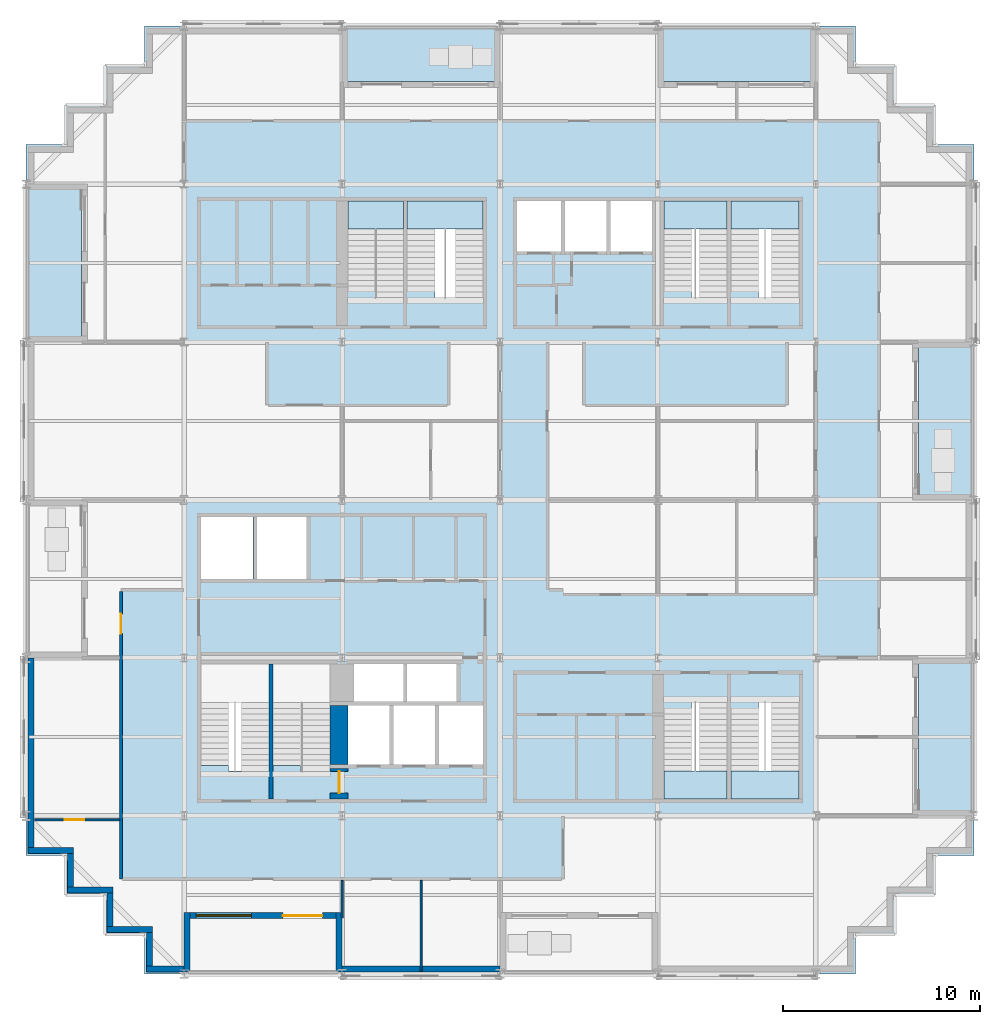
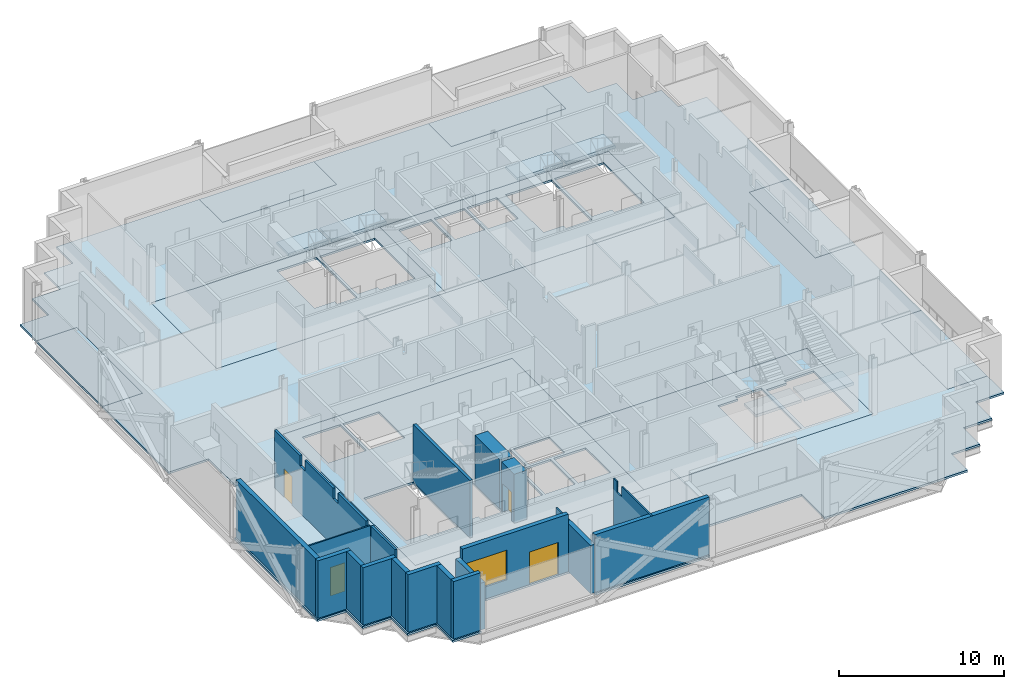
# One storey, part 5 of 15: 19 walls, 16 slabs, 4 doors, 1 window, 5 openings, 6 elements without a shape of their own.
"""IFC4 building model written with IfcOpenShell, lengths in metres."""

from ifc_helpers import new_model, si_unit, direction, frame, frame_2d, origin, place, context, subcontext, project, spatial, polyline, rectangle, outline, extrude, material, layer, layer_set, type_object, element, fill, aggregate, save


model = new_model("IFC4")

# Units and contexts
model_context = context("Model", 3, precision=1e-05, world=origin(), true_north=direction((0.0, 1.0)))
body_context = subcontext(model_context, "Body", "Model", "MODEL_VIEW")
ifc_project = project(units=[si_unit("LENGTHUNIT", "METRE"), si_unit("AREAUNIT", "SQUARE_METRE"), si_unit("VOLUMEUNIT", "CUBIC_METRE"), si_unit("PLANEANGLEUNIT", "RADIAN"), si_unit("MASSUNIT", "GRAM", prefix="KILO")], contexts=[model_context])

# Site, building, storey
site_placement = place(None, origin())
site = spatial("IfcSite", under=ifc_project, at=site_placement, CompositionType="ELEMENT")
building_placement = place(site_placement, origin())
building = spatial("IfcBuilding", under=site, at=building_placement, Name="Immortelle Media Tower", CompositionType="ELEMENT")
storey_placement = place(building_placement, frame((0.0, 0.0, 92.0)))
storey = spatial("IfcBuildingStorey", under=building, at=storey_placement, Name="L17", CompositionType="ELEMENT", Elevation=92.0)

# Slabs
ifc_material_1 = material(Name="Concrete C50/60 composite deck", Category="concrete")
ifc_layer_1 = layer(ifc_material_1, 0.14990234375)
ifc_layer_set_1 = layer_set([ifc_layer_1], Name="Concrete C50/60 composite deck")
slab_type_1 = type_object("IfcSlabType", Name="Balcony slab 150", PredefinedType="FLOOR", material=ifc_layer_set_1)
slab_1_placement = place(storey_placement, frame((0.0, 0.0, -0.14990234375)))
element("IfcSlab", 1, at=slab_1_placement, inside=storey, type_object=slab_type_1, Name="Balcony slab L17 W0", PredefinedType="FLOOR", context=body_context, shape_type="SweptSolid", body=[
    extrude(outline(polyline([(2.800048828125, 32.0), (2.800048828125, 40.0), (0.0, 40.0), (0.0, 32.0), (2.800048828125, 32.0)])), origin(), (0.0, 0.0, 1.0), 0.14990234375),
])
slab_2_placement = place(storey_placement, frame((0.0, 0.0, -0.14990234375)))
element("IfcSlab", 2, at=slab_2_placement, inside=storey, type_object=slab_type_1, Name="Balcony slab L17 E0", PredefinedType="FLOOR", context=body_context, shape_type="SweptSolid", body=[
    extrude(outline(polyline([(48.0, 8.0), (48.0, 16.0), (45.199951171875, 16.0), (45.199951171875, 8.0), (48.0, 8.0)])), origin(), (0.0, 0.0, 1.0), 0.14990234375),
])
slab_3_placement = place(storey_placement, frame((0.0, 0.0, -0.14990234375)))
element("IfcSlab", 3, at=slab_3_placement, inside=storey, type_object=slab_type_1, Name="Balcony slab L17 E2", PredefinedType="FLOOR", context=body_context, shape_type="SweptSolid", body=[
    extrude(outline(polyline([(48.0, 24.0), (48.0, 32.0), (45.199951171875, 32.0), (45.199951171875, 24.0), (48.0, 24.0)])), origin(), (0.0, 0.0, 1.0), 0.14990234375),
])
slab_4_placement = place(storey_placement, frame((0.0, 0.0, -0.14990234375)))
element("IfcSlab", 4, at=slab_4_placement, inside=storey, type_object=slab_type_1, Name="Balcony slab L17 N0", PredefinedType="FLOOR", context=body_context, shape_type="SweptSolid", body=[
    extrude(outline(polyline([(40.0, 45.199951171875), (40.0, 48.0), (32.0, 48.0), (32.0, 45.199951171875), (40.0, 45.199951171875)])), origin(), (0.0, 0.0, 1.0), 0.14990234375),
])
slab_5_placement = place(storey_placement, frame((0.0, 0.0, -0.14990234375)))
element("IfcSlab", 5, at=slab_5_placement, inside=storey, type_object=slab_type_1, Name="Balcony slab L17 N2", PredefinedType="FLOOR", context=body_context, shape_type="SweptSolid", body=[
    extrude(outline(polyline([(24.0, 45.199951171875), (24.0, 48.0), (16.0, 48.0), (16.0, 45.199951171875), (24.0, 45.199951171875)])), origin(), (0.0, 0.0, 1.0), 0.14990234375),
])
ifc_material_2 = material(Name="Concrete C50/60", Category="concrete")
ifc_layer_2 = layer(ifc_material_2, 0.14990234375)
ifc_layer_set_2 = layer_set([ifc_layer_2], Name="Concrete C50/60")
slab_type_2 = type_object("IfcSlabType", Name="Composite floor slab 150", PredefinedType="FLOOR", material=ifc_layer_set_2)
slab_6_placement = place(storey_placement, frame((0.0, 0.0, -0.14990234375)))
element("IfcSlab", 6, at=slab_6_placement, inside=storey, type_object=slab_type_2, Name="Floor slab L17", PredefinedType="FLOOR", context=body_context, shape_type="SweptSolid", body=[
    extrude(outline(polyline([(6.0, 0.0), (6.0, 2.0), (4.0, 2.0), (4.0, 4.0), (2.0, 4.0), (2.0, 6.0), (0.0, 6.0), (0.0, 16.0), (2.800048828125, 16.0), (2.800048828125, 24.0), (0.0, 24.0), (0.0, 32.0), (2.800048828125, 32.0), (2.800048828125, 40.0), (0.0, 40.0), (0.0, 42.0), (2.0, 42.0), (2.0, 44.0), (4.0, 44.0), (4.0, 46.0), (6.0, 46.0), (6.0, 48.0), (16.0, 48.0), (16.0, 45.199951171875), (24.0, 45.199951171875), (24.0, 48.0), (32.0, 48.0), (32.0, 45.199951171875), (40.0, 45.199951171875), (40.0, 48.0), (42.0, 48.0), (42.0, 46.0), (44.0, 46.0), (44.0, 44.0), (46.0, 44.0), (46.0, 42.0), (48.0, 42.0), (48.0, 32.0), (45.199951171875, 32.0), (45.199951171875, 24.0), (48.0, 24.0), (48.0, 16.0), (45.199951171875, 16.0), (45.199951171875, 8.0), (48.0, 8.0), (48.0, 6.0), (46.0, 6.0), (46.0, 4.0), (44.0, 4.0), (44.0, 2.0), (42.0, 2.0), (42.0, 0.0), (32.0, 0.0), (32.0, 2.800048828125), (24.0, 2.800048828125), (24.0, 0.0), (16.0, 0.0), (16.0, 2.800048828125), (8.0, 2.800048828125), (8.0, 0.0), (6.0, 0.0)]), holes=[polyline([(24.0, 24.0), (8.0, 24.0), (8.0, 8.0), (24.0, 8.0), (40.0, 8.0), (40.0, 16.0), (24.0, 16.0), (24.0, 24.0)]), polyline([(24.0, 32.0), (40.0, 32.0), (40.0, 40.0), (24.0, 40.0), (8.0, 40.0), (8.0, 32.0), (24.0, 32.0)])]), origin(), (0.0, 0.0, 1.0), 0.14990234375),
])
ifc_layer_3 = layer(ifc_material_2, 0.14990234375)
ifc_layer_set_3 = layer_set([ifc_layer_3], Name="Concrete C50/60")
slab_type_3 = type_object("IfcSlabType", Name="Core floor slab 150", PredefinedType="FLOOR", material=ifc_layer_set_3)
slab_7_placement = place(storey_placement, frame((0.0, 0.0, -0.14990234375)))
element("IfcSlab", 7, at=slab_7_placement, inside=storey, type_object=slab_type_3, Name="Core floor SW", PredefinedType="FLOOR", context=body_context, shape_type="SweptSolid", body=[
    extrude(outline(polyline([(8.0, 8.0), (24.0, 8.0), (24.0, 24.0), (8.0, 24.0), (8.0, 8.0)]), holes=[polyline([(8.85009765625, 20.0), (11.5, 20.0), (11.5, 23.14990234375), (8.85009765625, 23.14990234375), (8.85009765625, 20.0)]), polyline([(11.699951171875, 20.0), (14.199951171875, 20.0), (14.199951171875, 23.14990234375), (11.699951171875, 23.14990234375), (11.699951171875, 20.0)]), polyline([(16.60009765625, 13.800048828125), (19.10009765625, 13.800048828125), (19.10009765625, 15.699951171875), (16.60009765625, 15.699951171875), (16.60009765625, 13.800048828125)]), polyline([(19.300048828125, 13.800048828125), (21.800048828125, 13.800048828125), (21.800048828125, 15.699951171875), (19.300048828125, 15.699951171875), (19.300048828125, 13.800048828125)]), polyline([(16.300048828125, 10.60009765625), (18.39990234375, 10.60009765625), (18.39990234375, 13.60009765625), (16.300048828125, 13.60009765625), (16.300048828125, 10.60009765625)]), polyline([(18.60009765625, 10.60009765625), (20.699951171875, 10.60009765625), (20.699951171875, 13.60009765625), (18.60009765625, 13.60009765625), (18.60009765625, 10.60009765625)]), polyline([(20.89990234375, 10.60009765625), (23.14990234375, 10.60009765625), (23.14990234375, 13.60009765625), (20.89990234375, 13.60009765625), (20.89990234375, 10.60009765625)]), polyline([(8.85009765625, 15.699951171875), (12.300048828125, 15.699951171875), (12.300048828125, 10.27001953125), (10.25, 10.27001953125), (10.25, 10.56005859375), (8.85009765625, 10.56005859375), (8.85009765625, 15.699951171875)]), polyline([(12.5, 15.699951171875), (15.39990234375, 15.699951171875), (15.39990234375, 10.27001953125), (13.89990234375, 10.27001953125), (13.89990234375, 10.56005859375), (12.5, 10.56005859375), (12.5, 15.699951171875)])]), origin(), (0.0, 0.0, 1.0), 0.14990234375),
])
slab_8_placement = place(storey_placement, frame((0.0, 0.0, -0.14990234375)))
element("IfcSlab", 8, at=slab_8_placement, inside=storey, type_object=slab_type_3, Name="Core floor SE", PredefinedType="FLOOR", context=body_context, shape_type="SweptSolid", body=[
    extrude(outline(polyline([(24.0, 8.0), (40.0, 8.0), (40.0, 16.0), (24.0, 16.0), (24.0, 8.0)]), holes=[polyline([(35.5, 13.72998046875), (35.5, 8.85009765625), (32.300048828125, 8.85009765625), (32.300048828125, 13.43994140625), (33.699951171875, 13.43994140625), (33.699951171875, 13.72998046875), (35.5, 13.72998046875)]), polyline([(39.14990234375, 13.72998046875), (39.14990234375, 8.85009765625), (35.699951171875, 8.85009765625), (35.699951171875, 13.43994140625), (37.10009765625, 13.43994140625), (37.10009765625, 13.72998046875), (39.14990234375, 13.72998046875)])]), origin(), (0.0, 0.0, 1.0), 0.14990234375),
])
slab_9_placement = place(storey_placement, frame((0.0, 0.0, -0.14990234375)))
element("IfcSlab", 9, at=slab_9_placement, inside=storey, type_object=slab_type_3, Name="Core floor NW", PredefinedType="FLOOR", context=body_context, shape_type="SweptSolid", body=[
    extrude(outline(polyline([(8.0, 32.0), (24.0, 32.0), (24.0, 40.0), (8.0, 40.0), (8.0, 32.0)]), holes=[polyline([(16.300048828125, 39.14990234375), (19.10009765625, 39.14990234375), (19.10009765625, 34.27001953125), (17.699951171875, 34.27001953125), (17.699951171875, 34.56005859375), (16.300048828125, 34.56005859375), (16.300048828125, 39.14990234375)]), polyline([(19.300048828125, 39.14990234375), (23.14990234375, 39.14990234375), (23.14990234375, 34.27001953125), (20.699951171875, 34.27001953125), (20.699951171875, 34.56005859375), (19.300048828125, 34.56005859375), (19.300048828125, 39.14990234375)])]), origin(), (0.0, 0.0, 1.0), 0.14990234375),
])
slab_10_placement = place(storey_placement, frame((0.0, 0.0, -0.14990234375)))
element("IfcSlab", 10, at=slab_10_placement, inside=storey, type_object=slab_type_3, Name="Core floor NE", PredefinedType="FLOOR", context=body_context, shape_type="SweptSolid", body=[
    extrude(outline(polyline([(24.0, 32.0), (40.0, 32.0), (40.0, 40.0), (24.0, 40.0), (24.0, 32.0)]), holes=[polyline([(24.85009765625, 36.60009765625), (27.10009765625, 36.60009765625), (27.10009765625, 39.14990234375), (24.85009765625, 39.14990234375), (24.85009765625, 36.60009765625)]), polyline([(27.300048828125, 36.60009765625), (29.39990234375, 36.60009765625), (29.39990234375, 39.14990234375), (27.300048828125, 39.14990234375), (27.300048828125, 36.60009765625)]), polyline([(29.60009765625, 36.60009765625), (31.699951171875, 36.60009765625), (31.699951171875, 39.14990234375), (29.60009765625, 39.14990234375), (29.60009765625, 36.60009765625)]), polyline([(32.300048828125, 39.14990234375), (35.5, 39.14990234375), (35.5, 34.27001953125), (33.699951171875, 34.27001953125), (33.699951171875, 34.56005859375), (32.300048828125, 34.56005859375), (32.300048828125, 39.14990234375)]), polyline([(35.699951171875, 39.14990234375), (39.14990234375, 39.14990234375), (39.14990234375, 34.27001953125), (37.10009765625, 34.27001953125), (37.10009765625, 34.56005859375), (35.699951171875, 34.56005859375), (35.699951171875, 39.14990234375)])]), origin(), (0.0, 0.0, 1.0), 0.14990234375),
])

# Stair, slab
ifc_material_3 = material(Name="Steel ASTM A992 Gr 50", Category="steel")
stair_type = type_object("IfcStairType", Name="Stair with flights", PredefinedType="DOUBLE_RETURN_STAIR", material=ifc_material_3)
stair_1_placement = place(storey_placement, origin())
stair_1 = element("IfcStair", 11, at=stair_1_placement, inside=storey, type_object=stair_type, Name="Exit stair SE1", PredefinedType="DOUBLE_RETURN_STAIR")
ifc_material_4 = material(Name="Steel ASTM A572 Gr 50", Category="steel")
ifc_layer_4 = layer(ifc_material_4, 0.199951171875)
ifc_layer_set_4 = layer_set([ifc_layer_4], Name="Steel ASTM A572 Gr 50")
slab_type_4 = type_object("IfcSlabType", Name="Stair landing 200", PredefinedType="LANDING", material=ifc_layer_set_4)
slab_11_placement = place(storey_placement, frame((0.0, 0.0, 1.912109375)))
slab_11 = element("IfcSlab", 12, at=slab_11_placement, type_object=slab_type_4, Name="ST SE1 landing 1", PredefinedType="LANDING", context=body_context, shape_type="SweptSolid", body=[
    extrude(outline(polyline([(32.300048828125, 8.85009765625), (35.5, 8.85009765625), (35.5, 10.27001953125), (32.300048828125, 10.27001953125), (32.300048828125, 8.85009765625)])), origin(), (0.0, 0.0, 1.0), 0.199951171875),
])
aggregate(stair_1, [slab_11])

stair_2_placement = place(storey_placement, origin())
stair_2 = element("IfcStair", 13, at=stair_2_placement, inside=storey, type_object=stair_type, Name="Exit stair SE2", PredefinedType="DOUBLE_RETURN_STAIR")
slab_12_placement = place(storey_placement, frame((0.0, 0.0, 1.912109375)))
slab_12 = element("IfcSlab", 14, at=slab_12_placement, type_object=slab_type_4, Name="ST SE2 landing 1", PredefinedType="LANDING", context=body_context, shape_type="SweptSolid", body=[
    extrude(outline(polyline([(35.699951171875, 8.85009765625), (39.14990234375, 8.85009765625), (39.14990234375, 10.27001953125), (35.699951171875, 10.27001953125), (35.699951171875, 8.85009765625)])), origin(), (0.0, 0.0, 1.0), 0.199951171875),
])
aggregate(stair_2, [slab_12])

stair_3_placement = place(storey_placement, origin())
stair_3 = element("IfcStair", 15, at=stair_3_placement, inside=storey, type_object=stair_type, Name="Exit stair NW1", PredefinedType="DOUBLE_RETURN_STAIR")
slab_13_placement = place(storey_placement, frame((0.0, 0.0, 1.912109375)))
slab_13 = element("IfcSlab", 16, at=slab_13_placement, type_object=slab_type_4, Name="ST NW1 landing 1", PredefinedType="LANDING", context=body_context, shape_type="SweptSolid", body=[
    extrude(outline(polyline([(16.300048828125, 37.72998046875), (19.10009765625, 37.72998046875), (19.10009765625, 39.14990234375), (16.300048828125, 39.14990234375), (16.300048828125, 37.72998046875)])), origin(), (0.0, 0.0, 1.0), 0.199951171875),
])
aggregate(stair_3, [slab_13])

stair_4_placement = place(storey_placement, origin())
stair_4 = element("IfcStair", 17, at=stair_4_placement, inside=storey, type_object=stair_type, Name="Exit stair NW2", PredefinedType="DOUBLE_RETURN_STAIR")
slab_14_placement = place(storey_placement, frame((0.0, 0.0, 1.912109375)))
slab_14 = element("IfcSlab", 18, at=slab_14_placement, type_object=slab_type_4, Name="ST NW2 landing 1", PredefinedType="LANDING", context=body_context, shape_type="SweptSolid", body=[
    extrude(outline(polyline([(19.300048828125, 37.72998046875), (23.14990234375, 37.72998046875), (23.14990234375, 39.14990234375), (19.300048828125, 39.14990234375), (19.300048828125, 37.72998046875)])), origin(), (0.0, 0.0, 1.0), 0.199951171875),
])
aggregate(stair_4, [slab_14])

stair_5_placement = place(storey_placement, origin())
stair_5 = element("IfcStair", 19, at=stair_5_placement, inside=storey, type_object=stair_type, Name="Exit stair NE1", PredefinedType="DOUBLE_RETURN_STAIR")
slab_15_placement = place(storey_placement, frame((0.0, 0.0, 1.912109375)))
slab_15 = element("IfcSlab", 20, at=slab_15_placement, type_object=slab_type_4, Name="ST NE1 landing 1", PredefinedType="LANDING", context=body_context, shape_type="SweptSolid", body=[
    extrude(outline(polyline([(32.300048828125, 37.72998046875), (35.5, 37.72998046875), (35.5, 39.14990234375), (32.300048828125, 39.14990234375), (32.300048828125, 37.72998046875)])), origin(), (0.0, 0.0, 1.0), 0.199951171875),
])
aggregate(stair_5, [slab_15])

stair_6_placement = place(storey_placement, origin())
stair_6 = element("IfcStair", 21, at=stair_6_placement, inside=storey, type_object=stair_type, Name="Exit stair NE2", PredefinedType="DOUBLE_RETURN_STAIR")
slab_16_placement = place(storey_placement, frame((0.0, 0.0, 1.912109375)))
slab_16 = element("IfcSlab", 22, at=slab_16_placement, type_object=slab_type_4, Name="ST NE2 landing 1", PredefinedType="LANDING", context=body_context, shape_type="SweptSolid", body=[
    extrude(outline(polyline([(35.699951171875, 37.72998046875), (39.14990234375, 37.72998046875), (39.14990234375, 39.14990234375), (35.699951171875, 39.14990234375), (35.699951171875, 37.72998046875)])), origin(), (0.0, 0.0, 1.0), 0.199951171875),
])
aggregate(stair_6, [slab_16])

# Wall, opening, door
ifc_material_5 = material(Name="Fire-rated gypsum board", Category="gypsum")
ifc_layer_5 = layer(ifc_material_5, 0.012451171875)
ifc_material_6 = material(Name="Steel ASTM A653 SS Gr 50 stud frame with mineral wool", Category="steel")
ifc_layer_6 = layer(ifc_material_6, 0.125)
ifc_layer_7 = layer(ifc_material_5, 0.012451171875)
ifc_layer_set_5 = layer_set([ifc_layer_5, ifc_layer_6, ifc_layer_7], Name="Steel ASTM A653 SS Gr 50 stud frame with mineral wool")
wall_type_1 = type_object("IfcWallType", Name="Corridor wall 150", PredefinedType="PARTITIONING", material=ifc_layer_set_5)
wall_1_placement = place(storey_placement, frame((4.800048828125, 4.800048828125, 0.0), z_axis=(0.0, 0.0, 1.0), x_axis=(0.0, 1.0, 0.0)))
wall_1 = element("IfcWall", 23, at=wall_1_placement, inside=storey, type_object=wall_type_1, Name="Partition L17-005", PredefinedType="PARTITIONING", context=body_context, shape_type="SweptSolid", body=[
    extrude(outline(polyline([(0.0, 0.0), (14.574951171875, 0.0), (14.574951171875, 4.25), (11.5, 4.25), (11.498046875, 3.469970703125), (10.902099609375, 3.469970703125), (10.89990234375, 4.25), (7.5, 4.25), (7.498046875, 3.469970703125), (6.902099609375, 3.469970703125), (6.89990234375, 4.25), (3.5, 4.25), (3.498046875, 3.469970703125), (2.902099609375, 3.469970703125), (2.89990234375, 4.25), (0.0, 4.25), (0.0, 0.0)])), frame((0.0, 0.074951171875, 0.0), z_axis=(0.0, -1.0, 0.0), x_axis=(1.0, 0.0, 0.0)), (0.0, 0.0, 1.0), 0.14990234375),
])
opening_1_placement = place(wall_1_placement, frame((12.425048828125, 0.0, 0.0)))
opening_1 = element("IfcOpeningElement", 24, at=opening_1_placement, cuts=wall_1, Name="Opening N5-F008", PredefinedType="OPENING", context=body_context, shape_type="SweptSolid", body=[
    extrude(rectangle(XDim=1.0, YDim=2.10009765625, at=frame_2d((0.5, 1.050048828125))), frame((0.0, 0.0849609375, 0.0), z_axis=(0.0, -1.0, 0.0), x_axis=(1.0, 0.0, 0.0)), (0.0, 0.0, 1.0), 0.169921875),
])
ifc_material_7 = material(Name="Timber veneered door leaf, galvanised steel frame ASTM A653", Category="steel")
door_type_1 = type_object("IfcDoorType", Name="Room door 1000 x 2100", OperationType="NOTDEFINED", PredefinedType="DOOR", material=ifc_material_7)
door_1_placement = place(opening_1_placement, origin())
door_1 = element("IfcDoor", 25, at=door_1_placement, inside=storey, type_object=door_type_1, Name="Door N5-F008", OperationType="SINGLE_SWING_LEFT", OverallHeight=2.10009765625, OverallWidth=1.0, PredefinedType="DOOR", context=body_context, shape_type="SweptSolid", body=[
    extrude(rectangle(XDim=1.0, YDim=2.10009765625, at=frame_2d((0.5, 1.050048828125))), frame((0.0, 0.02490234375, 0.0), z_axis=(0.0, -1.0, 0.0), x_axis=(1.0, 0.0, 0.0)), (0.0, 0.0, 1.0), 0.050048828125),
])
fill(opening_1, door_1)

# Walls
ifc_material_8 = material(Name="Pale aluminium cladding panel", Category="aluminium")
ifc_layer_8 = layer(ifc_material_8, 0.030029296875)
ifc_layer_9 = layer(ifc_material_6, 0.257568359375)
ifc_material_9 = material(Name="Moisture-resistant gypsum board", Category="gypsum")
ifc_layer_10 = layer(ifc_material_9, 0.012451171875)
ifc_layer_set_6 = layer_set([ifc_layer_8, ifc_layer_9, ifc_layer_10], Name="Steel ASTM A653 SS Gr 50 stud frame with mineral wool")
wall_type_2 = type_object("IfcWallType", Name="Facade wall 300", PredefinedType="SOLIDWALL", material=ifc_layer_set_6)
wall_2_placement = place(storey_placement, frame((0.25, 16.0, 0.0), z_axis=(0.0, 0.0, 1.0), x_axis=(0.0, -1.0, 0.0)))
element("IfcWall", 26, at=wall_2_placement, inside=storey, type_object=wall_type_2, Name="Facade wall L17 W0", PredefinedType="SOLIDWALL", context=body_context, shape_type="SweptSolid", body=[
    extrude(rectangle(XDim=9.60009765625, YDim=0.300048828125, at=frame_2d((4.800048828125, 0.0))), origin(), (0.0, 0.0, 1.0), 4.25),
])
wall_3_placement = place(storey_placement, frame((0.10009765625, 6.25, 0.0), z_axis=(0.0, 0.0, 1.0), x_axis=(1.0, 0.0, 0.0)))
element("IfcWall", 27, at=wall_3_placement, inside=storey, type_object=wall_type_2, Name="Facade wall L17 S1", PredefinedType="SOLIDWALL", context=body_context, shape_type="SweptSolid", body=[
    extrude(rectangle(XDim=2.2998046875, YDim=0.300048828125, at=frame_2d((1.14990234375, 0.0))), origin(), (0.0, 0.0, 1.0), 4.25),
])
wall_4_placement = place(storey_placement, frame((2.25, 6.10009765625, 0.0), z_axis=(0.0, 0.0, 1.0), x_axis=(0.0, -1.0, 0.0)))
element("IfcWall", 28, at=wall_4_placement, inside=storey, type_object=wall_type_2, Name="Facade wall L17 W2", PredefinedType="SOLIDWALL", context=body_context, shape_type="SweptSolid", body=[
    extrude(rectangle(XDim=1.7001953125, YDim=0.300048828125, at=frame_2d((0.85009765625, 0.0))), origin(), (0.0, 0.0, 1.0), 4.25),
])
wall_5_placement = place(storey_placement, frame((2.10009765625, 4.25, 0.0), z_axis=(0.0, 0.0, 1.0), x_axis=(1.0, 0.0, 0.0)))
element("IfcWall", 29, at=wall_5_placement, inside=storey, type_object=wall_type_2, Name="Facade wall L17 S3", PredefinedType="SOLIDWALL", context=body_context, shape_type="SweptSolid", body=[
    extrude(rectangle(XDim=2.2998046875, YDim=0.300048828125, at=frame_2d((1.14990234375, 0.0))), origin(), (0.0, 0.0, 1.0), 4.25),
])
wall_6_placement = place(storey_placement, frame((4.25, 4.10009765625, 0.0), z_axis=(0.0, 0.0, 1.0), x_axis=(0.0, -1.0, 0.0)))
element("IfcWall", 30, at=wall_6_placement, inside=storey, type_object=wall_type_2, Name="Facade wall L17 W4", PredefinedType="SOLIDWALL", context=body_context, shape_type="SweptSolid", body=[
    extrude(rectangle(XDim=1.7001953125, YDim=0.300048828125, at=frame_2d((0.85009765625, 0.0))), origin(), (0.0, 0.0, 1.0), 4.25),
])
wall_7_placement = place(storey_placement, frame((4.10009765625, 2.25, 0.0), z_axis=(0.0, 0.0, 1.0), x_axis=(1.0, 0.0, 0.0)))
element("IfcWall", 31, at=wall_7_placement, inside=storey, type_object=wall_type_2, Name="Facade wall L17 S5", PredefinedType="SOLIDWALL", context=body_context, shape_type="SweptSolid", body=[
    extrude(rectangle(XDim=2.2998046875, YDim=0.300048828125, at=frame_2d((1.14990234375, 0.0))), origin(), (0.0, 0.0, 1.0), 4.25),
])
wall_8_placement = place(storey_placement, frame((6.25, 2.10009765625, 0.0), z_axis=(0.0, 0.0, 1.0), x_axis=(0.0, -1.0, 0.0)))
element("IfcWall", 32, at=wall_8_placement, inside=storey, type_object=wall_type_2, Name="Facade wall L17 W6", PredefinedType="SOLIDWALL", context=body_context, shape_type="SweptSolid", body=[
    extrude(rectangle(XDim=1.7001953125, YDim=0.300048828125, at=frame_2d((0.85009765625, 0.0))), origin(), (0.0, 0.0, 1.0), 4.25),
])
wall_9_placement = place(storey_placement, frame((6.10009765625, 0.25, 0.0), z_axis=(0.0, 0.0, 1.0), x_axis=(1.0, 0.0, 0.0)))
element("IfcWall", 33, at=wall_9_placement, inside=storey, type_object=wall_type_2, Name="Facade wall L17 S7", PredefinedType="SOLIDWALL", context=body_context, shape_type="SweptSolid", body=[
    extrude(rectangle(XDim=1.89990234375, YDim=0.300048828125, at=frame_2d((0.949951171875, 0.0))), origin(), (0.0, 0.0, 1.0), 4.25),
])

# Wall, openings, door, window
wall_10_placement = place(storey_placement, frame((8.300048828125, 2.949951171875, 0.0), z_axis=(0.0, 0.0, 1.0), x_axis=(1.0, 0.0, 0.0)))
wall_10 = element("IfcWall", 34, at=wall_10_placement, inside=storey, type_object=wall_type_2, Name="Loggia wall L17 S7", PredefinedType="SOLIDWALL", context=body_context, shape_type="SweptSolid", body=[
    extrude(rectangle(XDim=7.39990234375, YDim=0.300048828125, at=frame_2d((3.699951171875, 0.0))), origin(), (0.0, 0.0, 1.0), 4.25),
])
opening_2_placement = place(wall_10_placement, frame((0.300048828125, 0.0, 0.89990234375)))
opening_2 = element("IfcOpeningElement", 35, at=opening_2_placement, cuts=wall_10, Name="Opening W1", PredefinedType="OPENING", context=body_context, shape_type="SweptSolid", body=[
    extrude(rectangle(XDim=2.800048828125, YDim=2.199951171875, at=frame_2d((1.39990234375, 1.10009765625))), frame((0.0, 0.159912109375, 0.0), z_axis=(0.0, -1.0, 0.0), x_axis=(1.0, 0.0, 0.0)), (0.0, 0.0, 1.0), 0.320068359375),
])
opening_3_placement = place(wall_10_placement, frame((4.699951171875, 0.0, 0.0)))
opening_3 = element("IfcOpeningElement", 36, at=opening_3_placement, cuts=wall_10, Name="Opening N5-E003", PredefinedType="OPENING", context=body_context, shape_type="SweptSolid", body=[
    extrude(rectangle(XDim=2.0, YDim=2.39990234375, at=frame_2d((1.0, 1.199951171875))), frame((0.0, 0.159912109375, 0.0), z_axis=(0.0, -1.0, 0.0), x_axis=(1.0, 0.0, 0.0)), (0.0, 0.0, 1.0), 0.320068359375),
])
ifc_material_10 = material(Name="Aluminium frame, glazed leaves", Category="aluminium")
door_type_2 = type_object("IfcDoorType", Name="Loggia door 2000 x 2400", OperationType="DOUBLE_DOOR_SINGLE_SWING", PredefinedType="DOOR", material=ifc_material_10)
door_2_placement = place(opening_3_placement, origin())
door_2 = element("IfcDoor", 37, at=door_2_placement, inside=storey, type_object=door_type_2, Name="Door N5-E003", OperationType="DOUBLE_DOOR_SINGLE_SWING", OverallHeight=2.39990234375, OverallWidth=2.0, PredefinedType="DOOR", context=body_context, shape_type="SweptSolid", body=[
    extrude(rectangle(XDim=2.0, YDim=2.39990234375, at=frame_2d((1.0, 1.199951171875))), frame((0.0, 0.02490234375, 0.0), z_axis=(0.0, -1.0, 0.0), x_axis=(1.0, 0.0, 0.0)), (0.0, 0.0, 1.0), 0.050048828125),
])
fill(opening_3, door_2)
ifc_material_11 = material(Name="Aluminium frame", Category="aluminium")
window_type = type_object("IfcWindowType", Name="Window 2800 x 2200", PartitioningType="SINGLE_PANEL", PredefinedType="WINDOW", material=ifc_material_11)
window_placement = place(opening_2_placement, origin())
window = element("IfcWindow", 38, at=window_placement, inside=storey, type_object=window_type, Name="Window L17 L17-R7-B0", OverallHeight=2.199951171875, OverallWidth=2.800048828125, PartitioningType="SINGLE_PANEL", PredefinedType="WINDOW", context=body_context, shape_type="SweptSolid", body=[
    extrude(rectangle(XDim=2.800048828125, YDim=2.199951171875, at=frame_2d((1.39990234375, 1.10009765625))), frame((0.0, 0.030029296875, 0.0), z_axis=(0.0, -1.0, 0.0), x_axis=(1.0, 0.0, 0.0)), (0.0, 0.0, 1.0), 0.06005859375),
])
fill(opening_2, window)

# Walls
wall_11_placement = place(storey_placement, frame((8.14990234375, 0.10009765625, 0.0), z_axis=(0.0, 0.0, 1.0), x_axis=(0.0, 1.0, 0.0)))
element("IfcWall", 39, at=wall_11_placement, inside=storey, type_object=wall_type_2, Name="Loggia cheek wall L17 S", PredefinedType="SOLIDWALL", context=body_context, shape_type="SweptSolid", body=[
    extrude(rectangle(XDim=3.0, YDim=0.300048828125, at=frame_2d((1.5, 0.0))), origin(), (0.0, 0.0, 1.0), 3.468994140625),
])
wall_12_placement = place(storey_placement, frame((15.85009765625, 0.10009765625, 0.0), z_axis=(0.0, 0.0, 1.0), x_axis=(0.0, 1.0, 0.0)))
element("IfcWall", 40, at=wall_12_placement, inside=storey, type_object=wall_type_2, Name="Loggia cheek wall L17 S", PredefinedType="SOLIDWALL", context=body_context, shape_type="SweptSolid", body=[
    extrude(rectangle(XDim=3.0, YDim=0.300048828125, at=frame_2d((1.5, 0.0))), origin(), (0.0, 0.0, 1.0), 3.555908203125),
])
wall_13_placement = place(storey_placement, frame((16.0, 0.25, 0.0), z_axis=(0.0, 0.0, 1.0), x_axis=(1.0, 0.0, 0.0)))
element("IfcWall", 41, at=wall_13_placement, inside=storey, type_object=wall_type_2, Name="Facade wall L17 S7", PredefinedType="SOLIDWALL", context=body_context, shape_type="SweptSolid", body=[
    extrude(rectangle(XDim=8.0, YDim=0.300048828125, at=frame_2d((4.0, 0.0))), origin(), (0.0, 0.0, 1.0), 4.25),
])
ifc_material_12 = material(Name="Gypsum board", Category="gypsum")
ifc_layer_11 = layer(ifc_material_12, 0.012451171875)
ifc_layer_12 = layer(ifc_material_6, 0.074951171875)
ifc_layer_13 = layer(ifc_material_12, 0.012451171875)
ifc_layer_set_7 = layer_set([ifc_layer_11, ifc_layer_12, ifc_layer_13], Name="Steel ASTM A653 SS Gr 50 stud frame with mineral wool")
wall_type_3 = type_object("IfcWallType", Name="Partition 100", PredefinedType="PARTITIONING", material=ifc_layer_set_7)
wall_14_placement = place(storey_placement, frame((20.0, 0.1298828125, 0.0), z_axis=(0.0, 0.0, 1.0), x_axis=(0.0, 1.0, 0.0)))
element("IfcWall", 42, at=wall_14_placement, inside=storey, type_object=wall_type_3, Name="Partition L17-001", PredefinedType="PARTITIONING", context=body_context, shape_type="SweptSolid", body=[
    extrude(outline(polyline([(0.0, 0.0), (4.59521484375, 0.0), (4.594970703125, 4.25), (4.169921875, 4.25), (4.16796875, 3.469970703125), (3.572021484375, 3.469970703125), (3.570068359375, 4.25), (0.0, 4.25), (0.0, 0.0)])), frame((0.0, 0.050048828125, 0.0), z_axis=(0.0, -1.0, 0.0), x_axis=(1.0, 0.0, 0.0)), (0.0, 0.0, 1.0), 0.10009765625),
])
wall_15_placement = place(storey_placement, frame((16.0, 2.830078125, 0.0), z_axis=(0.0, 0.0, 1.0), x_axis=(0.0, 1.0, 0.0)))
element("IfcWall", 43, at=wall_15_placement, inside=storey, type_object=wall_type_3, Name="Partition L17-002", PredefinedType="PARTITIONING", context=body_context, shape_type="SweptSolid", body=[
    extrude(rectangle(XDim=1.89501953125, YDim=0.10009765625, at=frame_2d((0.947509765625, 0.0))), origin(), (0.0, 0.0, 1.0), 3.469970703125),
])

# Wall, opening, door
wall_16_placement = place(storey_placement, frame((0.429931640625, 7.800048828125, 0.0), z_axis=(0.0, 0.0, 1.0), x_axis=(1.0, 0.0, 0.0)))
wall_16 = element("IfcWall", 44, at=wall_16_placement, inside=storey, type_object=wall_type_3, Name="Partition L17-007", PredefinedType="PARTITIONING", context=body_context, shape_type="SweptSolid", body=[
    extrude(rectangle(XDim=4.295166015625, YDim=0.10009765625, at=frame_2d((2.1474609375, 0.0))), origin(), (0.0, 0.0, 1.0), 4.25),
])
opening_4_placement = place(wall_16_placement, frame((2.52001953125, 0.0, 0.0), z_axis=(0.0, 0.0, 1.0), x_axis=(-1.0, 0.0, 0.0)))
opening_4 = element("IfcOpeningElement", 45, at=opening_4_placement, cuts=wall_16, Name="Opening N5-F005", PredefinedType="OPENING", context=body_context, shape_type="SweptSolid", body=[
    extrude(rectangle(XDim=1.0, YDim=2.10009765625, at=frame_2d((0.5, 1.050048828125))), frame((0.0, 0.06005859375, 0.0), z_axis=(0.0, -1.0, 0.0), x_axis=(1.0, 0.0, 0.0)), (0.0, 0.0, 1.0), 0.1201171875),
])
door_3_placement = place(opening_4_placement, origin())
door_3 = element("IfcDoor", 46, at=door_3_placement, inside=storey, type_object=door_type_1, Name="Door N5-F005", OperationType="SINGLE_SWING_LEFT", OverallHeight=2.10009765625, OverallWidth=1.0, PredefinedType="DOOR", context=body_context, shape_type="SweptSolid", body=[
    extrude(rectangle(XDim=1.0, YDim=2.10009765625, at=frame_2d((0.5, 1.050048828125))), frame((0.0, 0.02490234375, 0.0), z_axis=(0.0, -1.0, 0.0), x_axis=(1.0, 0.0, 0.0)), (0.0, 0.0, 1.0), 0.050048828125),
])
fill(opening_4, door_3)

# Wall
ifc_material_13 = material(Name="Concrete C60", Category="concrete")
ifc_layer_14 = layer(ifc_material_13, 0.199951171875)
ifc_layer_set_8 = layer_set([ifc_layer_14], Name="Concrete C60")
wall_type_4 = type_object("IfcWallType", Name="Stair shaft wall 200", PredefinedType="PARTITIONING", material=ifc_layer_set_8)
wall_17_placement = place(storey_placement, frame((12.39990234375, 8.85009765625, 0.0), z_axis=(0.0, 0.0, 1.0), x_axis=(0.0, 1.0, 0.0)))
element("IfcWall", 47, at=wall_17_placement, inside=storey, type_object=wall_type_4, Name="Stair shaft wall SW", PredefinedType="PARTITIONING", context=body_context, shape_type="SweptSolid", body=[
    extrude(rectangle(XDim=6.849853515625, YDim=0.199951171875, at=frame_2d((3.4248046875, 0.0))), origin(), (0.0, 0.0, 1.0), 4.25),
])

# Wall, opening, door
ifc_layer_15 = layer(ifc_material_13, 0.89990234375)
ifc_layer_set_9 = layer_set([ifc_layer_15], Name="Concrete C60")
wall_type_5 = type_object("IfcWallType", Name="Stair shaft wall 900", PredefinedType="PARTITIONING", material=ifc_layer_set_9)
wall_18_placement = place(storey_placement, frame((15.85009765625, 8.85009765625, 0.0), z_axis=(0.0, 0.0, 1.0), x_axis=(0.0, 1.0, 0.0)))
wall_18 = element("IfcWall", 48, at=wall_18_placement, inside=storey, type_object=wall_type_5, Name="Stair shaft wall SW", PredefinedType="PARTITIONING", context=body_context, shape_type="SweptSolid", body=[
    extrude(rectangle(XDim=1.5498046875, YDim=0.89990234375, at=frame_2d((0.77490234375, 0.0))), origin(), (0.0, 0.0, 1.0), 3.632080078125),
])
opening_5_placement = place(wall_18_placement, frame((0.300048828125, 0.0, 0.0)))
opening_5 = element("IfcOpeningElement", 49, at=opening_5_placement, cuts=wall_18, Name="Opening N5-K006", PredefinedType="OPENING", context=body_context, shape_type="SweptSolid", body=[
    extrude(rectangle(XDim=1.10009765625, YDim=2.10009765625, at=frame_2d((0.550048828125, 1.050048828125))), frame((0.0, 0.4599609375, 0.0), z_axis=(0.0, -1.0, 0.0), x_axis=(1.0, 0.0, 0.0)), (0.0, 0.0, 1.0), 0.919921875),
])
ifc_material_14 = material(Name="Galvanised steel door leaf and frame ASTM A653", Category="steel")
door_type_3 = type_object("IfcDoorType", Name="Stair lobby door 1100 x 2100", OperationType="NOTDEFINED", PredefinedType="NOTDEFINED", material=ifc_material_14)
door_4_placement = place(opening_5_placement, origin())
door_4 = element("IfcDoor", 50, at=door_4_placement, inside=storey, type_object=door_type_3, Name="Stair lobby N5-K006", OperationType="SINGLE_SWING_LEFT", OverallHeight=2.10009765625, OverallWidth=1.10009765625, PredefinedType="NOTDEFINED", context=body_context, shape_type="SweptSolid", body=[
    extrude(rectangle(XDim=1.10009765625, YDim=2.10009765625, at=frame_2d((0.550048828125, 1.050048828125))), frame((0.0, 0.02490234375, 0.0), z_axis=(0.0, -1.0, 0.0), x_axis=(1.0, 0.0, 0.0)), (0.0, 0.0, 1.0), 0.050048828125),
])
fill(opening_5, door_4)

# Wall
wall_19_placement = place(storey_placement, frame((15.85009765625, 10.60009765625, 0.0), z_axis=(0.0, 0.0, 1.0), x_axis=(0.0, 1.0, 0.0)))
element("IfcWall", 51, at=wall_19_placement, inside=storey, type_object=wall_type_5, Name="Stair shaft wall SW", PredefinedType="PARTITIONING", context=body_context, shape_type="SweptSolid", body=[
    extrude(rectangle(XDim=3.0, YDim=0.89990234375, at=frame_2d((1.5, 0.0))), origin(), (0.0, 0.0, 1.0), 3.632080078125),
])

save(model, "model.ifc")
